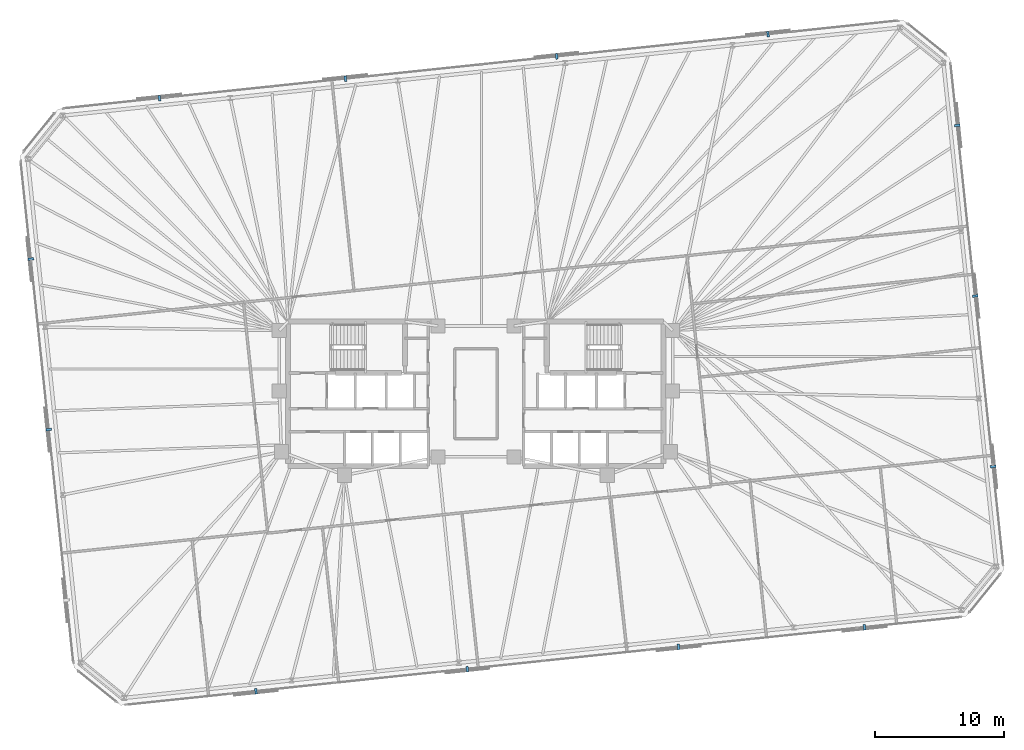
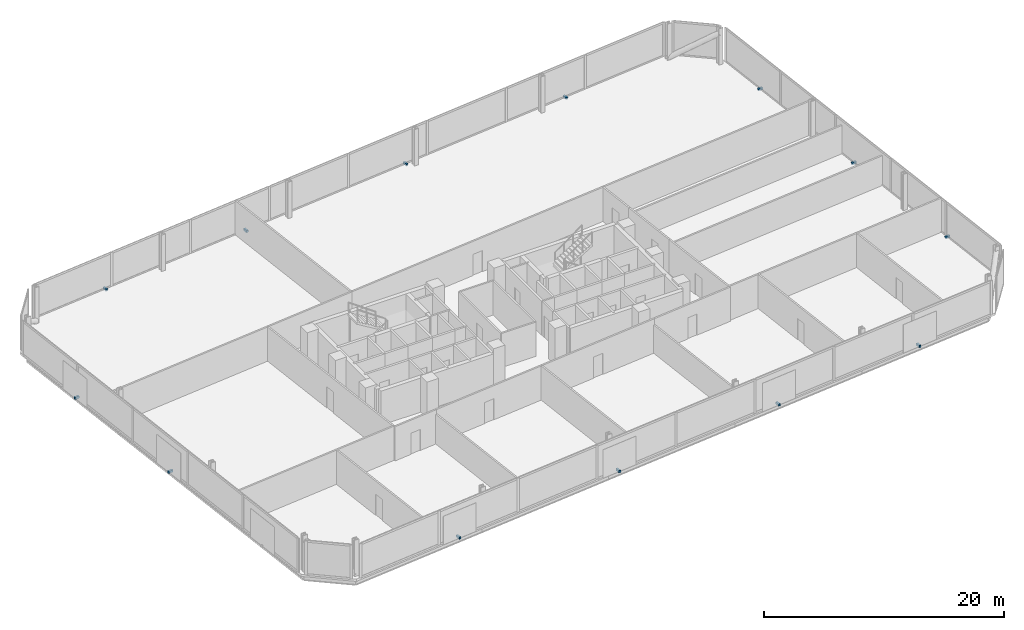
# One storey, part 17 of 18: 13 discrete accessories.
"""IFC4 building model written with IfcOpenShell, lengths in metres."""

from ifc_helpers import new_model, si_unit, direction, frame, origin, origin_2d, place, context, subcontext, project, spatial, rectangle, extrude, material, type_object, element, save


model = new_model("IFC4")

# Units and contexts
model_context = context("Model", 3, precision=1e-05, world=origin(), true_north=direction((0.0, 1.0)))
body_context = subcontext(model_context, "Body", "Model", "MODEL_VIEW")
ifc_project = project(units=[si_unit("LENGTHUNIT", "METRE"), si_unit("AREAUNIT", "SQUARE_METRE"), si_unit("VOLUMEUNIT", "CUBIC_METRE"), si_unit("PLANEANGLEUNIT", "RADIAN"), si_unit("MASSUNIT", "GRAM", prefix="KILO")], contexts=[model_context])

# Site, building, storey
site_placement = place(None, origin())
site = spatial("IfcSite", under=ifc_project, at=site_placement, CompositionType="ELEMENT")
building_placement = place(site_placement, origin())
building = spatial("IfcBuilding", under=site, at=building_placement, Name="Menara Jurai Vektor", CompositionType="ELEMENT")
storey_placement = place(building_placement, frame((0.0, 0.0, 124.39990234375)))
storey = spatial("IfcBuildingStorey", under=building, at=storey_placement, Name="L31", CompositionType="ELEMENT", Elevation=124.39990234375)

# Discrete accessories
ifc_material = material(Name="Steel S355", Category="steel")
discrete_accessory_type = type_object("IfcDiscreteAccessoryType", Name="ENV-ACC-BRACKET", PredefinedType="BRACKET", material=ifc_material)
for number, where, z_axis, x_axis, name in (
    (1, (-17.052001953125, -23.07470703125, -0.1298828125), (0.0, 0.0, 1.0), (0.994521895368, 0.104528463268, 0.0), "Solar Screen Stand-Off Bracket L31-S01"),
    (2, (-0.667236328125, -21.3525390625, -0.1298828125), (0.0, 0.0, 1.0), (0.994521895368, 0.104528463268, 0.0), "Solar Screen Stand-Off Bracket L31-S02"),
    (3, (15.717529296875, -19.63037109375, -0.1298828125), (0.0, 0.0, 1.0), (0.994521895368, 0.104528463268, 0.0), "Solar Screen Stand-Off Bracket L31-S03"),
    (4, (30.13623046875, -18.114990234375, -0.1298828125), (0.0, 0.0, 1.0), (0.994521895368, 0.104528463268, 0.0), "Solar Screen Stand-Off Bracket L31-S04"),
    (5, (40.105712890625, -5.648193359375, -0.1298828125), (0.0, 0.0, 1.0), (-0.104528463268, 0.994521895368, 0.0), "Solar Screen Stand-Off Bracket L31-S05"),
    (6, (38.71533203125, 7.5791015625, -0.1298828125), (0.0, 0.0, 1.0), (-0.104528463268, 0.994521895368, 0.0), "Solar Screen Stand-Off Bracket L31-S06"),
    (7, (37.3251953125, 20.80615234375, -0.1298828125), (0.0, 0.0, 1.0), (-0.104528463268, 0.994521895368, 0.0), "Solar Screen Stand-Off Bracket L31-S07"),
    (8, (22.65185546875, 27.87451171875, -0.1298828125), (0.0, 0.0, 1.0), (-0.994521895368, -0.104528463268, 0.0), "Solar Screen Stand-Off Bracket L31-S08"),
    (9, (6.26708984375, 26.152587890625, -0.1298828125), (0.0, 0.0, 1.0), (-0.994521895368, -0.104528463268, 0.0), "Solar Screen Stand-Off Bracket L31-S09"),
    (10, (-10.11767578125, 24.430419921875, -0.1298828125), (0.0, 0.0, 1.0), (-0.994521895368, -0.104528463268, 0.0), "Solar Screen Stand-Off Bracket L31-S10"),
    (11, (-24.5361328125, 22.9150390625, -0.1298828125), (0.0, 0.0, 1.0), (-0.994521895368, -0.104528463268, 0.0), "Solar Screen Stand-Off Bracket L31-S11"),
    (12, (-34.505615234375, 10.447998046875, -0.1298828125), (0.0, 0.0, 1.0), (0.104528463268, -0.994521895368, 0.0), "Solar Screen Stand-Off Bracket L31-S12"),
    (13, (-33.115478515625, -2.779052734375, -0.1298828125), (0.0, 0.0, 1.0), (0.104528463268, -0.994521895368, 0.0), "Solar Screen Stand-Off Bracket L31-S13"),
):
    element("IfcDiscreteAccessory", number, at=place(storey_placement, frame(where, z_axis=z_axis, x_axis=x_axis)), inside=storey, type_object=discrete_accessory_type, Name=name, PredefinedType="BRACKET", context=body_context, shape_type="SweptSolid", body=[
        extrude(rectangle(XDim=0.179931640625, YDim=0.43994140625, at=origin_2d()), origin(), (0.0, 0.0, 1.0), 0.219970703125),
    ])

save(model, "model.ifc")
